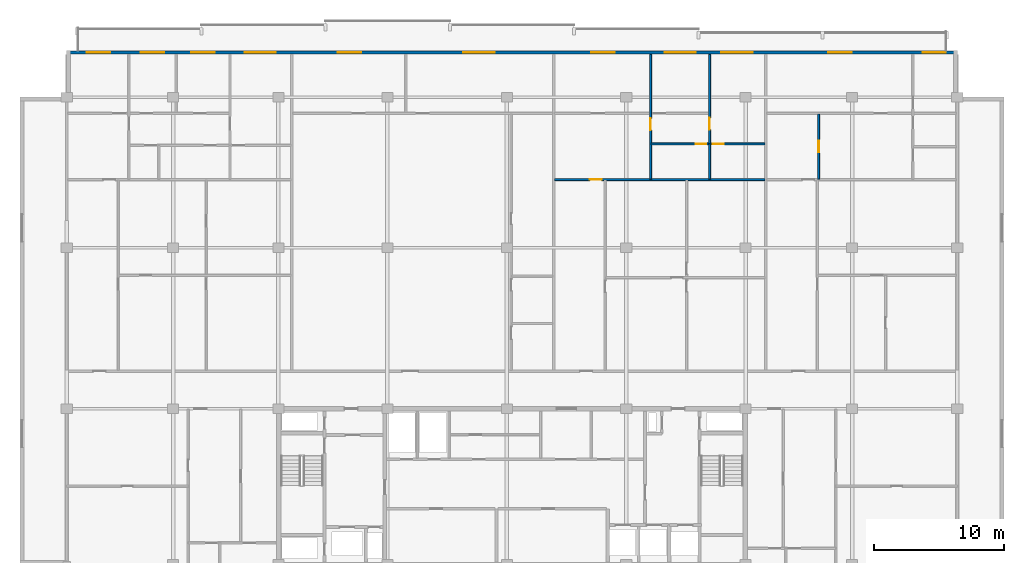
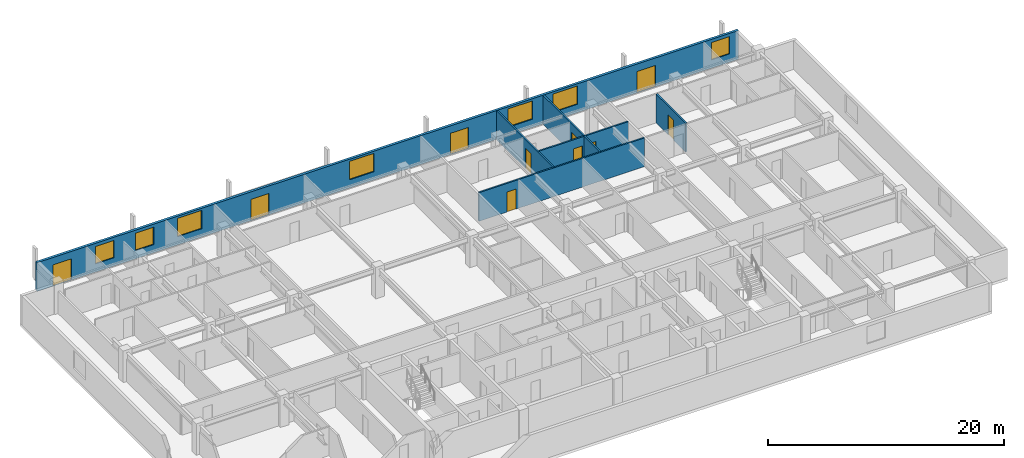
# One storey, part 7 of 10: 10 doors, 7 walls, 7 windows, 17 openings.
"""IFC4 building model written with IfcOpenShell, lengths in metres."""

from ifc_helpers import new_model, si_unit, direction, frame, frame_2d, origin, place, context, subcontext, project, spatial, rectangle, extrude, material, layer, layer_set, type_object, element, fill, save


model = new_model("IFC4")

# Units and contexts
model_context = context("Model", 3, precision=1e-05, world=origin(), true_north=direction((0.0, 1.0)))
body_context = subcontext(model_context, "Body", "Model", "MODEL_VIEW")
ifc_project = project(units=[si_unit("LENGTHUNIT", "METRE"), si_unit("AREAUNIT", "SQUARE_METRE"), si_unit("VOLUMEUNIT", "CUBIC_METRE"), si_unit("PLANEANGLEUNIT", "RADIAN"), si_unit("MASSUNIT", "GRAM", prefix="KILO")], contexts=[model_context])

# Site, building, storey
site_placement = place(None, origin())
site = spatial("IfcSite", under=ifc_project, at=site_placement, CompositionType="ELEMENT")
building_placement = place(site_placement, origin())
building = spatial("IfcBuilding", under=site, at=building_placement, Name="Korimba Cascade Residences", CompositionType="ELEMENT")
storey_placement = place(building_placement, frame((0.0, 0.0, 214.10009765625)))
storey = spatial("IfcBuildingStorey", under=building, at=storey_placement, Name="L62", CompositionType="ELEMENT", Elevation=214.10009765625)

# Wall, openings, doors, windows
ifc_material_1 = material(Name="Precast concrete C40/50", Category="concrete")
ifc_layer_1 = layer(ifc_material_1, 0.25)
ifc_layer_set_1 = layer_set([ifc_layer_1], Name="Precast concrete C40/50")
wall_type_1 = type_object("IfcWallType", Name="EW-LOG-250", PredefinedType="STANDARD", material=ifc_layer_set_1)
wall_1_placement = place(storey_placement, frame((128.39990234375, 94.64990234375, 0.0), z_axis=(0.0, 0.0, 1.0), x_axis=(-1.0, 0.0, 0.0)))
wall_1 = element("IfcWall", 1, at=wall_1_placement, inside=storey, type_object=wall_type_1, Name="L62 T1 Perimeter Stone Wall E06", PredefinedType="STANDARD", context=body_context, shape_type="SweptSolid", body=[
    extrude(rectangle(XDim=68.599853515625, YDim=0.25, at=frame_2d((34.2998046875, 0.0))), origin(), (0.0, 0.0, 1.0), 2.969970703125),
])
opening_1_placement = place(wall_1_placement, frame((61.088623046875, 0.0, 0.85009765625)))
opening_1 = element("IfcOpeningElement", 2, at=opening_1_placement, cuts=wall_1, Name="Opening W-02", PredefinedType="OPENING", context=body_context, shape_type="SweptSolid", body=[
    extrude(rectangle(XDim=1.800048828125, YDim=1.800048828125, at=frame_2d((0.89990234375, 0.89990234375))), frame((0.0, 0.135009765625, 0.0), z_axis=(0.0, -1.0, 0.0), x_axis=(1.0, 0.0, 0.0)), (0.0, 0.0, 1.0), 0.27001953125),
])
opening_2_placement = place(wall_1_placement, frame((57.19580078125, 0.0, 0.85009765625)))
opening_2 = element("IfcOpeningElement", 3, at=opening_2_placement, cuts=wall_1, Name="Opening W-02", PredefinedType="OPENING", context=body_context, shape_type="SweptSolid", body=[
    extrude(rectangle(XDim=1.800048828125, YDim=1.800048828125, at=frame_2d((0.89990234375, 0.89990234375))), frame((0.0, 0.135009765625, 0.0), z_axis=(0.0, -1.0, 0.0), x_axis=(1.0, 0.0, 0.0)), (0.0, 0.0, 1.0), 0.27001953125),
])
opening_3_placement = place(wall_1_placement, frame((65.2451171875, 0.0, 0.0)))
opening_3 = element("IfcOpeningElement", 4, at=opening_3_placement, cuts=wall_1, Name="Opening D-LG1", PredefinedType="OPENING", context=body_context, shape_type="SweptSolid", body=[
    extrude(rectangle(XDim=1.800048828125, YDim=2.199951171875, at=frame_2d((0.89990234375, 1.10009765625))), frame((0.0, 0.135009765625, 0.0), z_axis=(0.0, -1.0, 0.0), x_axis=(1.0, 0.0, 0.0)), (0.0, 0.0, 1.0), 0.27001953125),
])
opening_4_placement = place(wall_1_placement, frame((52.499267578125, 0.0, 0.85009765625)))
opening_4 = element("IfcOpeningElement", 5, at=opening_4_placement, cuts=wall_1, Name="Opening W-01", PredefinedType="OPENING", context=body_context, shape_type="SweptSolid", body=[
    extrude(rectangle(XDim=2.39990234375, YDim=1.89990234375, at=frame_2d((1.199951171875, 0.949951171875))), frame((0.0, 0.135009765625, 0.0), z_axis=(0.0, -1.0, 0.0), x_axis=(1.0, 0.0, 0.0)), (0.0, 0.0, 1.0), 0.27001953125),
])
opening_5_placement = place(wall_1_placement, frame((45.906982421875, 0.0, 0.0)))
opening_5 = element("IfcOpeningElement", 6, at=opening_5_placement, cuts=wall_1, Name="Opening D-LG1", PredefinedType="OPENING", context=body_context, shape_type="SweptSolid", body=[
    extrude(rectangle(XDim=1.800048828125, YDim=2.199951171875, at=frame_2d((0.89990234375, 1.10009765625))), frame((0.0, 0.135009765625, 0.0), z_axis=(0.0, -1.0, 0.0), x_axis=(1.0, 0.0, 0.0)), (0.0, 0.0, 1.0), 0.27001953125),
])
opening_6_placement = place(wall_1_placement, frame((35.6474609375, 0.0, 0.85009765625)))
opening_6 = element("IfcOpeningElement", 7, at=opening_6_placement, cuts=wall_1, Name="Opening W-01", PredefinedType="OPENING", context=body_context, shape_type="SweptSolid", body=[
    extrude(rectangle(XDim=2.39990234375, YDim=1.89990234375, at=frame_2d((1.199951171875, 0.949951171875))), frame((0.0, 0.135009765625, 0.0), z_axis=(0.0, -1.0, 0.0), x_axis=(1.0, 0.0, 0.0)), (0.0, 0.0, 1.0), 0.27001953125),
])
opening_7_placement = place(wall_1_placement, frame((20.14697265625, 0.0, 0.85009765625)))
opening_7 = element("IfcOpeningElement", 8, at=opening_7_placement, cuts=wall_1, Name="Opening W-01", PredefinedType="OPENING", context=body_context, shape_type="SweptSolid", body=[
    extrude(rectangle(XDim=2.39990234375, YDim=1.89990234375, at=frame_2d((1.199951171875, 0.949951171875))), frame((0.0, 0.135009765625, 0.0), z_axis=(0.0, -1.0, 0.0), x_axis=(1.0, 0.0, 0.0)), (0.0, 0.0, 1.0), 0.27001953125),
])
opening_8_placement = place(wall_1_placement, frame((26.397705078125, 0.0, 0.0)))
opening_8 = element("IfcOpeningElement", 9, at=opening_8_placement, cuts=wall_1, Name="Opening D-LG1", PredefinedType="OPENING", context=body_context, shape_type="SweptSolid", body=[
    extrude(rectangle(XDim=1.800048828125, YDim=2.199951171875, at=frame_2d((0.89990234375, 1.10009765625))), frame((0.0, 0.135009765625, 0.0), z_axis=(0.0, -1.0, 0.0), x_axis=(1.0, 0.0, 0.0)), (0.0, 0.0, 1.0), 0.27001953125),
])
opening_9_placement = place(wall_1_placement, frame((15.768798828125, 0.0, 0.85009765625)))
opening_9 = element("IfcOpeningElement", 10, at=opening_9_placement, cuts=wall_1, Name="Opening W-01", PredefinedType="OPENING", context=body_context, shape_type="SweptSolid", body=[
    extrude(rectangle(XDim=2.39990234375, YDim=1.89990234375, at=frame_2d((1.199951171875, 0.949951171875))), frame((0.0, 0.135009765625, 0.0), z_axis=(0.0, -1.0, 0.0), x_axis=(1.0, 0.0, 0.0)), (0.0, 0.0, 1.0), 0.27001953125),
])
opening_10_placement = place(wall_1_placement, frame((8.121826171875, 0.0, 0.0)))
opening_10 = element("IfcOpeningElement", 11, at=opening_10_placement, cuts=wall_1, Name="Opening D-LG1", PredefinedType="OPENING", context=body_context, shape_type="SweptSolid", body=[
    extrude(rectangle(XDim=1.800048828125, YDim=2.199951171875, at=frame_2d((0.89990234375, 1.10009765625))), frame((0.0, 0.135009765625, 0.0), z_axis=(0.0, -1.0, 0.0), x_axis=(1.0, 0.0, 0.0)), (0.0, 0.0, 1.0), 0.27001953125),
])
opening_11_placement = place(wall_1_placement, frame((0.8701171875, 0.0, 0.85009765625)))
opening_11 = element("IfcOpeningElement", 12, at=opening_11_placement, cuts=wall_1, Name="Opening W-02", PredefinedType="OPENING", context=body_context, shape_type="SweptSolid", body=[
    extrude(rectangle(XDim=1.800048828125, YDim=1.800048828125, at=frame_2d((0.89990234375, 0.89990234375))), frame((0.0, 0.135009765625, 0.0), z_axis=(0.0, -1.0, 0.0), x_axis=(1.0, 0.0, 0.0)), (0.0, 0.0, 1.0), 0.27001953125),
])
ifc_material_2 = material(Name="Glazed Aluminium Loggia Sliding Door", Category="aluminium")
door_type_1 = type_object("IfcDoorType", Name="DR-EXT-LOG", OperationType="NOTDEFINED", PredefinedType="DOOR", material=ifc_material_2)
door_1_placement = place(opening_3_placement, origin())
door_1 = element("IfcDoor", 13, at=door_1_placement, inside=storey, type_object=door_type_1, Name="L62 T1 Loggia Sliding Door 5", OperationType="SLIDING_TO_LEFT", OverallHeight=2.199951171875, OverallWidth=1.800048828125, PredefinedType="DOOR", context=body_context, shape_type="SweptSolid", body=[
    extrude(rectangle(XDim=1.800048828125, YDim=2.199951171875, at=frame_2d((0.89990234375, 1.10009765625))), frame((0.0, 0.02490234375, 0.0), z_axis=(0.0, -1.0, 0.0), x_axis=(1.0, 0.0, 0.0)), (0.0, 0.0, 1.0), 0.050048828125),
])
fill(opening_3, door_1)
door_2_placement = place(opening_5_placement, origin())
door_2 = element("IfcDoor", 14, at=door_2_placement, inside=storey, type_object=door_type_1, Name="L62 T1 Loggia Sliding Door 7", OperationType="SLIDING_TO_LEFT", OverallHeight=2.199951171875, OverallWidth=1.800048828125, PredefinedType="DOOR", context=body_context, shape_type="SweptSolid", body=[
    extrude(rectangle(XDim=1.800048828125, YDim=2.199951171875, at=frame_2d((0.89990234375, 1.10009765625))), frame((0.0, 0.02490234375, 0.0), z_axis=(0.0, -1.0, 0.0), x_axis=(1.0, 0.0, 0.0)), (0.0, 0.0, 1.0), 0.050048828125),
])
fill(opening_5, door_2)
door_3_placement = place(opening_8_placement, origin())
door_3 = element("IfcDoor", 15, at=door_3_placement, inside=storey, type_object=door_type_1, Name="L62 T1 Loggia Sliding Door 10", OperationType="SLIDING_TO_LEFT", OverallHeight=2.199951171875, OverallWidth=1.800048828125, PredefinedType="DOOR", context=body_context, shape_type="SweptSolid", body=[
    extrude(rectangle(XDim=1.800048828125, YDim=2.199951171875, at=frame_2d((0.89990234375, 1.10009765625))), frame((0.0, 0.02490234375, 0.0), z_axis=(0.0, -1.0, 0.0), x_axis=(1.0, 0.0, 0.0)), (0.0, 0.0, 1.0), 0.050048828125),
])
fill(opening_8, door_3)
door_4_placement = place(opening_10_placement, origin())
door_4 = element("IfcDoor", 16, at=door_4_placement, inside=storey, type_object=door_type_1, Name="L62 T1 Loggia Sliding Door 12", OperationType="SLIDING_TO_LEFT", OverallHeight=2.199951171875, OverallWidth=1.800048828125, PredefinedType="DOOR", context=body_context, shape_type="SweptSolid", body=[
    extrude(rectangle(XDim=1.800048828125, YDim=2.199951171875, at=frame_2d((0.89990234375, 1.10009765625))), frame((0.0, 0.02490234375, 0.0), z_axis=(0.0, -1.0, 0.0), x_axis=(1.0, 0.0, 0.0)), (0.0, 0.0, 1.0), 0.050048828125),
])
fill(opening_10, door_4)
ifc_material_3 = material(Name="Double-Glazed Aluminium Window", Category="aluminium")
window_type_1 = type_object("IfcWindowType", Name="WIN-BED-1800", PartitioningType="SINGLE_PANEL", PredefinedType="WINDOW", material=ifc_material_3)
window_1_placement = place(opening_1_placement, origin())
window_1 = element("IfcWindow", 17, at=window_1_placement, inside=storey, type_object=window_type_1, Name="L62 T1 North Facade Window 3", OverallHeight=1.800048828125, OverallWidth=1.800048828125, PartitioningType="SINGLE_PANEL", PredefinedType="WINDOW", context=body_context, shape_type="SweptSolid", body=[
    extrude(rectangle(XDim=1.800048828125, YDim=1.800048828125, at=frame_2d((0.89990234375, 0.89990234375))), frame((0.0, 0.030029296875, 0.0), z_axis=(0.0, -1.0, 0.0), x_axis=(1.0, 0.0, 0.0)), (0.0, 0.0, 1.0), 0.06005859375),
])
fill(opening_1, window_1)
window_2_placement = place(opening_2_placement, origin())
window_2 = element("IfcWindow", 18, at=window_2_placement, inside=storey, type_object=window_type_1, Name="L62 T1 North Facade Window 4", OverallHeight=1.800048828125, OverallWidth=1.800048828125, PartitioningType="SINGLE_PANEL", PredefinedType="WINDOW", context=body_context, shape_type="SweptSolid", body=[
    extrude(rectangle(XDim=1.800048828125, YDim=1.800048828125, at=frame_2d((0.89990234375, 0.89990234375))), frame((0.0, 0.030029296875, 0.0), z_axis=(0.0, -1.0, 0.0), x_axis=(1.0, 0.0, 0.0)), (0.0, 0.0, 1.0), 0.06005859375),
])
fill(opening_2, window_2)
window_3_placement = place(opening_11_placement, origin())
window_3 = element("IfcWindow", 19, at=window_3_placement, inside=storey, type_object=window_type_1, Name="L62 T1 North Facade Window 13", OverallHeight=1.800048828125, OverallWidth=1.800048828125, PartitioningType="SINGLE_PANEL", PredefinedType="WINDOW", context=body_context, shape_type="SweptSolid", body=[
    extrude(rectangle(XDim=1.800048828125, YDim=1.800048828125, at=frame_2d((0.89990234375, 0.89990234375))), frame((0.0, 0.030029296875, 0.0), z_axis=(0.0, -1.0, 0.0), x_axis=(1.0, 0.0, 0.0)), (0.0, 0.0, 1.0), 0.06005859375),
])
fill(opening_11, window_3)
window_type_2 = type_object("IfcWindowType", Name="WIN-RES-2400", PartitioningType="DOUBLE_PANEL_VERTICAL", PredefinedType="WINDOW", material=ifc_material_3)
window_4_placement = place(opening_4_placement, origin())
window_4 = element("IfcWindow", 20, at=window_4_placement, inside=storey, type_object=window_type_2, Name="L62 T1 North Facade Window 6", OverallHeight=1.89990234375, OverallWidth=2.39990234375, PartitioningType="DOUBLE_PANEL_VERTICAL", PredefinedType="WINDOW", context=body_context, shape_type="SweptSolid", body=[
    extrude(rectangle(XDim=2.39990234375, YDim=1.89990234375, at=frame_2d((1.199951171875, 0.949951171875))), frame((0.0, 0.030029296875, 0.0), z_axis=(0.0, -1.0, 0.0), x_axis=(1.0, 0.0, 0.0)), (0.0, 0.0, 1.0), 0.06005859375),
])
fill(opening_4, window_4)
window_5_placement = place(opening_6_placement, origin())
window_5 = element("IfcWindow", 21, at=window_5_placement, inside=storey, type_object=window_type_2, Name="L62 T1 North Facade Window 8", OverallHeight=1.89990234375, OverallWidth=2.39990234375, PartitioningType="DOUBLE_PANEL_VERTICAL", PredefinedType="WINDOW", context=body_context, shape_type="SweptSolid", body=[
    extrude(rectangle(XDim=2.39990234375, YDim=1.89990234375, at=frame_2d((1.199951171875, 0.949951171875))), frame((0.0, 0.030029296875, 0.0), z_axis=(0.0, -1.0, 0.0), x_axis=(1.0, 0.0, 0.0)), (0.0, 0.0, 1.0), 0.06005859375),
])
fill(opening_6, window_5)
window_6_placement = place(opening_7_placement, origin())
window_6 = element("IfcWindow", 22, at=window_6_placement, inside=storey, type_object=window_type_2, Name="L62 T1 North Facade Window 9", OverallHeight=1.89990234375, OverallWidth=2.39990234375, PartitioningType="DOUBLE_PANEL_VERTICAL", PredefinedType="WINDOW", context=body_context, shape_type="SweptSolid", body=[
    extrude(rectangle(XDim=2.39990234375, YDim=1.89990234375, at=frame_2d((1.199951171875, 0.949951171875))), frame((0.0, 0.030029296875, 0.0), z_axis=(0.0, -1.0, 0.0), x_axis=(1.0, 0.0, 0.0)), (0.0, 0.0, 1.0), 0.06005859375),
])
fill(opening_7, window_6)
window_7_placement = place(opening_9_placement, origin())
window_7 = element("IfcWindow", 23, at=window_7_placement, inside=storey, type_object=window_type_2, Name="L62 T1 North Facade Window 11", OverallHeight=1.89990234375, OverallWidth=2.39990234375, PartitioningType="DOUBLE_PANEL_VERTICAL", PredefinedType="WINDOW", context=body_context, shape_type="SweptSolid", body=[
    extrude(rectangle(XDim=2.39990234375, YDim=1.89990234375, at=frame_2d((1.199951171875, 0.949951171875))), frame((0.0, 0.030029296875, 0.0), z_axis=(0.0, -1.0, 0.0), x_axis=(1.0, 0.0, 0.0)), (0.0, 0.0, 1.0), 0.06005859375),
])
fill(opening_9, window_7)

# Wall, opening, door
ifc_material_4 = material(Name="Insulated Acoustic Stud Partition", Category="gypsum")
ifc_layer_2 = layer(ifc_material_4, 0.14990234375)
ifc_layer_set_2 = layer_set([ifc_layer_2], Name="Insulated Acoustic Stud Partition")
wall_type_2 = type_object("IfcWallType", Name="WAL-PART-150", PredefinedType="PARTITIONING", material=ifc_layer_set_2)
wall_2_placement = place(storey_placement, frame((104.780029296875, 84.889892578125, 0.0), z_axis=(0.0, 0.0, 1.0), x_axis=(0.0, 1.0, 0.0)))
wall_2 = element("IfcWall", 24, at=wall_2_placement, inside=storey, type_object=wall_type_2, Name="L62 Partition Wall WAL-L62-T1-U03-V1", PredefinedType="PARTITIONING", context=body_context, shape_type="SweptSolid", body=[
    extrude(rectangle(XDim=9.610107421875, YDim=0.14990234375, at=frame_2d((4.80517578125, 0.0))), origin(), (0.0, 0.0, 1.0), 2.969970703125),
])
opening_12_placement = place(wall_2_placement, frame((3.770263671875, 0.0, 0.0)))
opening_12 = element("IfcOpeningElement", 25, at=opening_12_placement, cuts=wall_2, Name="Opening D-IN1", PredefinedType="OPENING", context=body_context, shape_type="SweptSolid", body=[
    extrude(rectangle(XDim=0.919921875, YDim=2.080078125, at=frame_2d((0.4599609375, 1.0400390625))), frame((0.0, 0.0849609375, 0.0), z_axis=(0.0, -1.0, 0.0), x_axis=(1.0, 0.0, 0.0)), (0.0, 0.0, 1.0), 0.169921875),
])
ifc_material_5 = material(Name="Acoustic Timber Living Door", Category="wood")
door_type_2 = type_object("IfcDoorType", Name="DR-INT-920", OperationType="NOTDEFINED", PredefinedType="DOOR", material=ifc_material_5)
door_5_placement = place(opening_12_placement, origin())
door_5 = element("IfcDoor", 26, at=door_5_placement, inside=storey, type_object=door_type_2, Name="L62-T1-U03 Hallway Door", OperationType="SINGLE_SWING_RIGHT", OverallHeight=2.080078125, OverallWidth=0.919921875, PredefinedType="DOOR", context=body_context, shape_type="SweptSolid", body=[
    extrude(rectangle(XDim=0.919921875, YDim=2.080078125, at=frame_2d((0.4599609375, 1.0400390625))), frame((0.0, 0.02490234375, 0.0), z_axis=(0.0, -1.0, 0.0), x_axis=(1.0, 0.0, 0.0)), (0.0, 0.0, 1.0), 0.050048828125),
])
fill(opening_12, door_5)

# Wall
wall_3_placement = place(storey_placement, frame((109.326171875, 84.889892578125, 0.0), z_axis=(0.0, 0.0, 1.0), x_axis=(0.0, 1.0, 0.0)))
element("IfcWall", 27, at=wall_3_placement, inside=storey, type_object=wall_type_2, Name="L62 Partition Wall WAL-L62-T1-U03-VBATH", PredefinedType="PARTITIONING", context=body_context, shape_type="SweptSolid", body=[
    extrude(rectangle(XDim=2.690185546875, YDim=0.14990234375, at=frame_2d((1.34521484375, 0.0))), origin(), (0.0, 0.0, 1.0), 2.969970703125),
])

# Wall, opening, door
wall_4_placement = place(storey_placement, frame((109.326171875, 87.6201171875, 0.0), z_axis=(0.0, 0.0, 1.0), x_axis=(0.0, 1.0, 0.0)))
wall_4 = element("IfcWall", 28, at=wall_4_placement, inside=storey, type_object=wall_type_2, Name="L62 Partition Wall WAL-L62-T1-U03-V2FULL", PredefinedType="PARTITIONING", context=body_context, shape_type="SweptSolid", body=[
    extrude(rectangle(XDim=6.8798828125, YDim=0.14990234375, at=frame_2d((3.43994140625, 0.0))), origin(), (0.0, 0.0, 1.0), 2.969970703125),
])
opening_13_placement = place(wall_4_placement, frame((1.090087890625, 0.0, 0.0)))
opening_13 = element("IfcOpeningElement", 29, at=opening_13_placement, cuts=wall_4, Name="Opening D-IN1", PredefinedType="OPENING", context=body_context, shape_type="SweptSolid", body=[
    extrude(rectangle(XDim=0.919921875, YDim=2.080078125, at=frame_2d((0.4599609375, 1.0400390625))), frame((0.0, 0.0849609375, 0.0), z_axis=(0.0, -1.0, 0.0), x_axis=(1.0, 0.0, 0.0)), (0.0, 0.0, 1.0), 0.169921875),
])
door_6_placement = place(opening_13_placement, origin())
door_6 = element("IfcDoor", 30, at=door_6_placement, inside=storey, type_object=door_type_2, Name="L62-T1-U03 Master Bedroom Door", OperationType="SINGLE_SWING_LEFT", OverallHeight=2.080078125, OverallWidth=0.919921875, PredefinedType="DOOR", context=body_context, shape_type="SweptSolid", body=[
    extrude(rectangle(XDim=0.919921875, YDim=2.080078125, at=frame_2d((0.4599609375, 1.0400390625))), frame((0.0, 0.02490234375, 0.0), z_axis=(0.0, -1.0, 0.0), x_axis=(1.0, 0.0, 0.0)), (0.0, 0.0, 1.0), 0.050048828125),
])
fill(opening_13, door_6)

# Wall, openings, doors
wall_5_placement = place(storey_placement, frame((104.820068359375, 87.60009765625, 0.0), z_axis=(0.0, 0.0, 1.0), x_axis=(1.0, 0.0, 0.0)))
wall_5 = element("IfcWall", 31, at=wall_5_placement, inside=storey, type_object=wall_type_2, Name="L62 Partition Wall WAL-L62-T1-U03-HWALL", PredefinedType="PARTITIONING", context=body_context, shape_type="SweptSolid", body=[
    extrude(rectangle(XDim=8.756103515625, YDim=0.14990234375, at=frame_2d((4.3779296875, 0.0))), origin(), (0.0, 0.0, 1.0), 2.969970703125),
])
opening_14_placement = place(wall_5_placement, frame((3.416259765625, 0.0, 0.0)))
opening_14 = element("IfcOpeningElement", 32, at=opening_14_placement, cuts=wall_5, Name="Opening D-BT1", PredefinedType="OPENING", context=body_context, shape_type="SweptSolid", body=[
    extrude(rectangle(XDim=0.840087890625, YDim=2.0400390625, at=frame_2d((0.419921875, 1.02001953125))), frame((0.0, 0.0849609375, 0.0), z_axis=(0.0, -1.0, 0.0), x_axis=(1.0, 0.0, 0.0)), (0.0, 0.0, 1.0), 0.169921875),
])
opening_15_placement = place(wall_5_placement, frame((4.756103515625, 0.0, 0.0)))
opening_15 = element("IfcOpeningElement", 33, at=opening_15_placement, cuts=wall_5, Name="Opening D-BT1", PredefinedType="OPENING", context=body_context, shape_type="SweptSolid", body=[
    extrude(rectangle(XDim=0.840087890625, YDim=2.0400390625, at=frame_2d((0.419921875, 1.02001953125))), frame((0.0, 0.0849609375, 0.0), z_axis=(0.0, -1.0, 0.0), x_axis=(1.0, 0.0, 0.0)), (0.0, 0.0, 1.0), 0.169921875),
])
ifc_material_6 = material(Name="Moisture-Resistant Bathroom Timber Door", Category="wood")
door_type_3 = type_object("IfcDoorType", Name="DR-INT-850", OperationType="NOTDEFINED", PredefinedType="DOOR", material=ifc_material_6)
door_7_placement = place(opening_14_placement, origin())
door_7 = element("IfcDoor", 34, at=door_7_placement, inside=storey, type_object=door_type_3, Name="L62-T1-U03 Family Bathroom Door", OperationType="SINGLE_SWING_RIGHT", OverallHeight=2.0400390625, OverallWidth=0.840087890625, PredefinedType="DOOR", context=body_context, shape_type="SweptSolid", body=[
    extrude(rectangle(XDim=0.840087890625, YDim=2.0400390625, at=frame_2d((0.419921875, 1.02001953125))), frame((0.0, 0.02490234375, 0.0), z_axis=(0.0, -1.0, 0.0), x_axis=(1.0, 0.0, 0.0)), (0.0, 0.0, 1.0), 0.050048828125),
])
fill(opening_14, door_7)
door_8_placement = place(opening_15_placement, origin())
door_8 = element("IfcDoor", 35, at=door_8_placement, inside=storey, type_object=door_type_3, Name="L62-T1-U03 En-Suite Door", OperationType="SINGLE_SWING_LEFT", OverallHeight=2.0400390625, OverallWidth=0.840087890625, PredefinedType="DOOR", context=body_context, shape_type="SweptSolid", body=[
    extrude(rectangle(XDim=0.840087890625, YDim=2.0400390625, at=frame_2d((0.419921875, 1.02001953125))), frame((0.0, 0.02490234375, 0.0), z_axis=(0.0, -1.0, 0.0), x_axis=(1.0, 0.0, 0.0)), (0.0, 0.0, 1.0), 0.050048828125),
])
fill(opening_15, door_8)

# Wall, opening, door
wall_6_placement = place(storey_placement, frame((97.384765625, 84.85009765625, 0.0), z_axis=(0.0, 0.0, 1.0), x_axis=(1.0, 0.0, 0.0)))
wall_6 = element("IfcWall", 36, at=wall_6_placement, inside=storey, type_object=wall_type_2, Name="L62 Partition Wall WAL-L62-T1-U03-MW", PredefinedType="PARTITIONING", context=body_context, shape_type="SweptSolid", body=[
    extrude(rectangle(XDim=16.19140625, YDim=0.14990234375, at=frame_2d((8.095703125, 0.0))), origin(), (0.0, 0.0, 1.0), 2.969970703125),
])
opening_16_placement = place(wall_6_placement, frame((2.719970703125, 0.0, 0.0)))
opening_16 = element("IfcOpeningElement", 37, at=opening_16_placement, cuts=wall_6, Name="Opening D-IN1", PredefinedType="OPENING", context=body_context, shape_type="SweptSolid", body=[
    extrude(rectangle(XDim=0.919921875, YDim=2.080078125, at=frame_2d((0.4599609375, 1.0400390625))), frame((0.0, 0.0849609375, 0.0), z_axis=(0.0, -1.0, 0.0), x_axis=(1.0, 0.0, 0.0)), (0.0, 0.0, 1.0), 0.169921875),
])
door_9_placement = place(opening_16_placement, origin())
door_9 = element("IfcDoor", 38, at=door_9_placement, inside=storey, type_object=door_type_2, Name="L62-T1-U03 Kitchen Door", OperationType="SINGLE_SWING_RIGHT", OverallHeight=2.080078125, OverallWidth=0.919921875, PredefinedType="DOOR", context=body_context, shape_type="SweptSolid", body=[
    extrude(rectangle(XDim=0.919921875, YDim=2.080078125, at=frame_2d((0.4599609375, 1.0400390625))), frame((0.0, 0.02490234375, 0.0), z_axis=(0.0, -1.0, 0.0), x_axis=(1.0, 0.0, 0.0)), (0.0, 0.0, 1.0), 0.050048828125),
])
fill(opening_16, door_9)

wall_7_placement = place(storey_placement, frame((117.726318359375, 84.889892578125, 0.0), z_axis=(0.0, 0.0, 1.0), x_axis=(0.0, 1.0, 0.0)))
wall_7 = element("IfcWall", 39, at=wall_7_placement, inside=storey, type_object=wall_type_2, Name="L62 Partition Wall WAL-L62-T1-U04-VDIN", PredefinedType="PARTITIONING", context=body_context, shape_type="SweptSolid", body=[
    extrude(rectangle(XDim=5.0, YDim=0.14990234375, at=frame_2d((2.5, 0.0))), origin(), (0.0, 0.0, 1.0), 2.969970703125),
])
opening_17_placement = place(wall_7_placement, frame((2.06005859375, 0.0, 0.0)))
opening_17 = element("IfcOpeningElement", 40, at=opening_17_placement, cuts=wall_7, Name="Opening D-IN2", PredefinedType="OPENING", context=body_context, shape_type="SweptSolid", body=[
    extrude(rectangle(XDim=0.8798828125, YDim=2.06005859375, at=frame_2d((0.43994140625, 1.030029296875))), frame((0.0, 0.0849609375, 0.0), z_axis=(0.0, -1.0, 0.0), x_axis=(1.0, 0.0, 0.0)), (0.0, 0.0, 1.0), 0.169921875),
])
ifc_material_7 = material(Name="Acoustic Timber Bedroom Door", Category="wood")
door_type_4 = type_object("IfcDoorType", Name="DR-INT-880", OperationType="NOTDEFINED", PredefinedType="DOOR", material=ifc_material_7)
door_10_placement = place(opening_17_placement, origin())
door_10 = element("IfcDoor", 41, at=door_10_placement, inside=storey, type_object=door_type_4, Name="L62-T1-U04 Dining Room Door", OperationType="SINGLE_SWING_RIGHT", OverallHeight=2.06005859375, OverallWidth=0.8798828125, PredefinedType="DOOR", context=body_context, shape_type="SweptSolid", body=[
    extrude(rectangle(XDim=0.8798828125, YDim=2.06005859375, at=frame_2d((0.43994140625, 1.030029296875))), frame((0.0, 0.02490234375, 0.0), z_axis=(0.0, -1.0, 0.0), x_axis=(1.0, 0.0, 0.0)), (0.0, 0.0, 1.0), 0.050048828125),
])
fill(opening_17, door_10)

save(model, "model.ifc")
